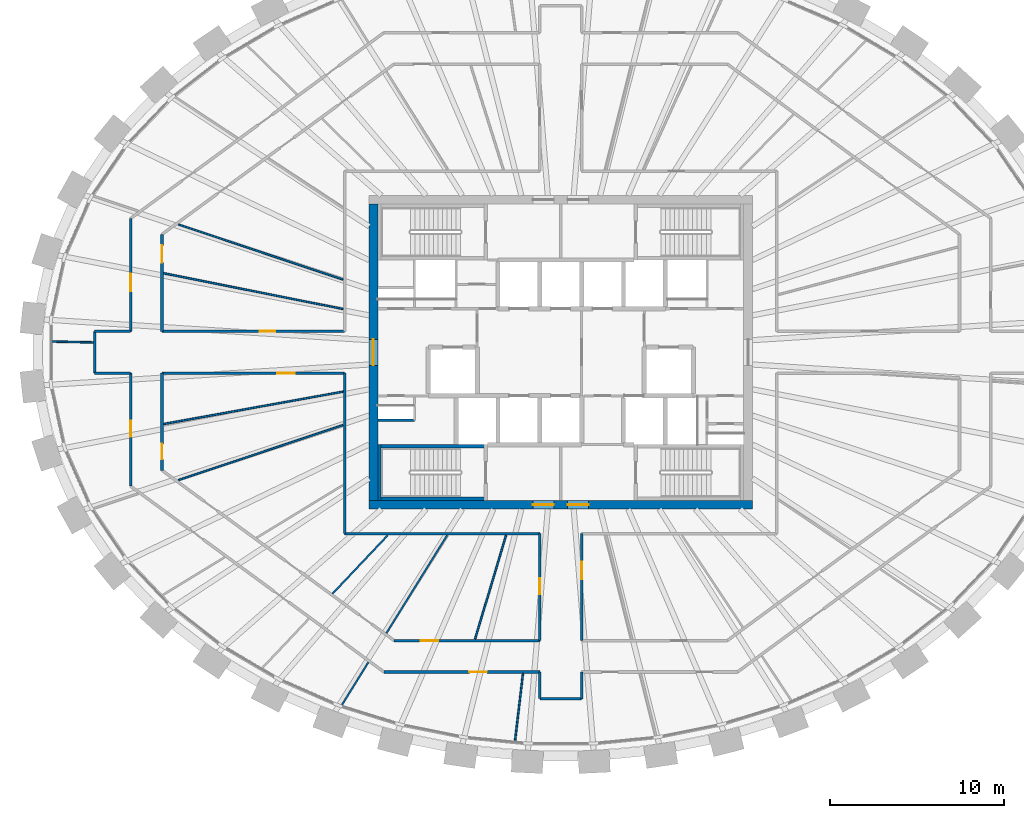
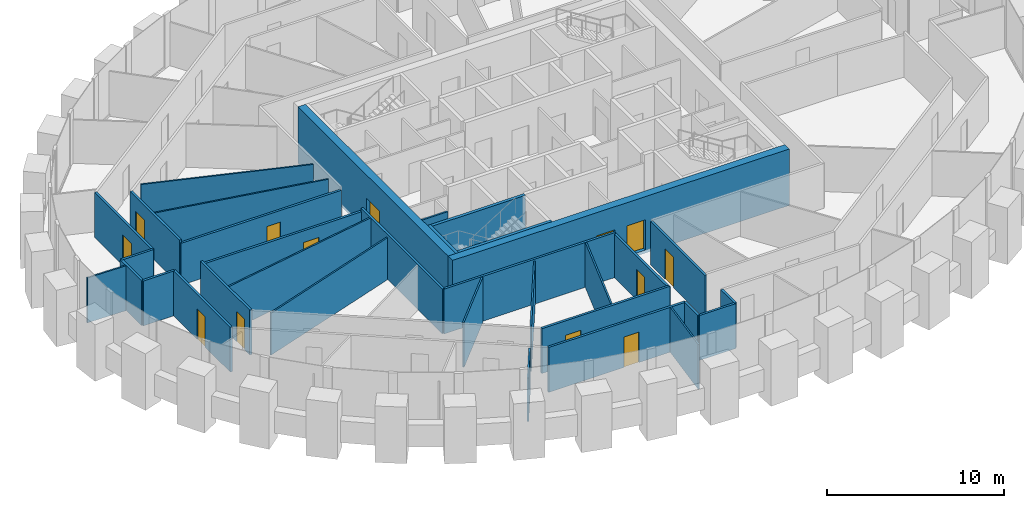
# One storey, part 6 of 12: 34 walls, 13 doors, 13 openings.
"""IFC4 building model written with IfcOpenShell, lengths in metres."""

import ifcopenshell
import ifcopenshell.guid

model = None  # the IFC model being written
_history = None  # IfcOwnerHistory: only IFC2X3 demands one
_inside = {}  # id of a spatial element -> (the spatial element, [elements in it])
_under = {}  # id of a project, library or spatial element -> (it, [spatial elements below it])
_declared = {}  # id of a project -> (the project, [libraries it declares])
_typed = {}  # id of a type object -> (the type object, [elements of that type])
_made_of = {}  # id of a material, layer set ... -> (it, [elements and type objects made of it])


def new_model(schema):
    """Start an empty IFC model of exactly this schema.

    Asked for "IFC4X3", IfcOpenShell would pick the latest addendum, in which some entities
    have other attributes; the version numbers below select the first issue.
    IFC2X3 requires an IfcOwnerHistory on every rooted entity: one is made here for all.
    """
    global model, _history
    if schema == "IFC4X3":
        model = ifcopenshell.file(schema_version=(4, 3, 0, 0))
    else:
        model = ifcopenshell.file(schema=schema)
    _inside.clear()
    _under.clear()
    _declared.clear()
    _typed.clear()
    _made_of.clear()
    _history = None
    if model.schema == "IFC2X3":
        org = make("IfcOrganization", Name="unknown")
        user = make(
            "IfcPersonAndOrganization",
            ThePerson=make("IfcPerson", FamilyName="unknown"),
            TheOrganization=org,
        )
        app = make(
            "IfcApplication",
            ApplicationDeveloper=org,
            Version="unknown",
            ApplicationFullName="unknown",
            ApplicationIdentifier="unknown",
        )
        _history = make(
            "IfcOwnerHistory",
            OwningUser=user,
            OwningApplication=app,
            ChangeAction="ADDED",
            CreationDate=0,
        )
    return model


def make(cls, **values):
    """One entity of the class cls with the attributes given. An attribute that is None is left unset."""
    return model.create_entity(
        cls, **{name: value for name, value in values.items() if value is not None}
    )


def rooted(cls, **values):
    """An entity with a GlobalId (a new one), such as an element, a storey or a relation."""
    return make(cls, GlobalId=ifcopenshell.guid.new(), OwnerHistory=_history, **values)


def si_unit(unit_type, name, prefix=None):
    """IfcSIUnit, for example si_unit("LENGTHUNIT", "METRE", prefix="MILLI")."""
    return make("IfcSIUnit", UnitType=unit_type, Prefix=prefix, Name=name)


def assignment(units):
    """IfcUnitAssignment: the units of a project."""
    return None if units is None else make("IfcUnitAssignment", Units=units)


def point(xyz):
    """IfcCartesianPoint."""
    return None if xyz is None else make("IfcCartesianPoint", Coordinates=xyz)


def direction(xyz):
    """IfcDirection."""
    return None if xyz is None else make("IfcDirection", DirectionRatios=xyz)


def frame(location, z_axis=None, x_axis=None):
    """IfcAxis2Placement3D, a coordinate frame: its origin and axes. An axis left out is left unset."""
    return make(
        "IfcAxis2Placement3D",
        Location=point(location),
        Axis=direction(z_axis),
        RefDirection=direction(x_axis),
    )


def frame_2d(location, x_axis=None):
    """IfcAxis2Placement2D, a coordinate frame in the plane: its origin and x axis."""
    return make(
        "IfcAxis2Placement2D", Location=point(location), RefDirection=direction(x_axis)
    )


def origin():
    """The frame at (0, 0, 0) with its axes left unset."""
    return frame((0.0, 0.0, 0.0))


def place(relative_to, where):
    """IfcLocalPlacement: puts the frame where relative to a parent placement (None: the world)."""
    return make(
        "IfcLocalPlacement", PlacementRelTo=relative_to, RelativePlacement=where
    )


def context(
    kind, dimensions, precision=None, world=None, true_north=None, identifier=None
):
    """IfcGeometricRepresentationContext, for example the 3D "Model" context."""
    return make(
        "IfcGeometricRepresentationContext",
        ContextIdentifier=identifier,
        ContextType=kind,
        CoordinateSpaceDimension=dimensions,
        Precision=precision,
        WorldCoordinateSystem=world,
        TrueNorth=true_north,
    )


def subcontext(parent, identifier, kind, view, scale=None):
    """IfcGeometricRepresentationSubContext, for example "Body" below "Model"."""
    return make(
        "IfcGeometricRepresentationSubContext",
        ContextIdentifier=identifier,
        ContextType=kind,
        ParentContext=parent,
        TargetScale=scale,
        TargetView=view,
    )


def project(units=None, contexts=None):
    """IfcProject with its units and contexts."""
    return rooted(
        "IfcProject",
        Name="project",
        RepresentationContexts=contexts,
        UnitsInContext=assignment(units),
    )


def spatial(cls, under=None, at=None, **own):
    """A site, building, storey or space (cls), placed at a placement, below another one or the project."""
    s = rooted(cls, ObjectPlacement=at, **own)
    if under is not None:
        _under.setdefault(under.id(), (under, []))[1].append(s)
    return s


def profile(cls, at=None, kind="AREA", **sizes):
    """A parametric profile (cls). Its sizes go by their IFC names, for example OverallWidth=200.0."""
    return make(cls, ProfileType=kind, Position=at, **sizes)


def rectangle(**sizes):
    """IfcRectangleProfileDef."""
    return profile("IfcRectangleProfileDef", **sizes)


def extrude(swept, where, along, depth):
    """IfcExtrudedAreaSolid: the profile swept, set in the frame where, extruded along a direction by depth."""
    return make(
        "IfcExtrudedAreaSolid",
        SweptArea=swept,
        Position=where,
        ExtrudedDirection=direction(along),
        Depth=depth,
    )


def shape(context_of_items, identifier, shape_type, items):
    """IfcShapeRepresentation: the items that make up one representation, for example the "Body"."""
    return make(
        "IfcShapeRepresentation",
        ContextOfItems=context_of_items,
        RepresentationIdentifier=identifier,
        RepresentationType=shape_type,
        Items=items,
    )


def source(mapping_origin, context_of_items, identifier, shape_type, items):
    """IfcRepresentationMap: a shape defined once, which mapped items show again and again."""
    return make(
        "IfcRepresentationMap",
        MappingOrigin=mapping_origin,
        MappedRepresentation=shape(context_of_items, identifier, shape_type, items),
    )


def transform(
    local_origin,
    x_axis=None,
    y_axis=None,
    z_axis=None,
    scale=None,
    scale2=None,
    scale3=None,
    uniform=True,
):
    """IfcCartesianTransformationOperator3D, or its non-uniform kind. x_axis, y_axis, z_axis: its Axis1, 2, 3."""
    if uniform:
        return make(
            "IfcCartesianTransformationOperator3D",
            Axis1=direction(x_axis),
            Axis2=direction(y_axis),
            LocalOrigin=point(local_origin),
            Scale=scale,
            Axis3=direction(z_axis),
        )
    return make(
        "IfcCartesianTransformationOperator3DnonUniform",
        Axis1=direction(x_axis),
        Axis2=direction(y_axis),
        LocalOrigin=point(local_origin),
        Scale=scale,
        Axis3=direction(z_axis),
        Scale2=scale2,
        Scale3=scale3,
    )


def mapped(mapping_source, mapping_target):
    """IfcMappedItem: shows the shape of a source again, moved by a transform."""
    return make(
        "IfcMappedItem", MappingSource=mapping_source, MappingTarget=mapping_target
    )


def material(Name=None, Category=None):
    """IfcMaterial."""
    return make("IfcMaterial", Name=Name, Category=Category)


def layer(
    of_material, thickness, ventilated=None, Name=None, Category=None, Priority=None
):
    """IfcMaterialLayer: one layer of a wall or slab, of a material (None: an air gap)."""
    return make(
        "IfcMaterialLayer",
        Material=of_material,
        LayerThickness=thickness,
        IsVentilated=ventilated,
        Name=Name,
        Category=Category,
        Priority=Priority,
    )


def layer_set(layers, Name=None):
    """IfcMaterialLayerSet."""
    return make("IfcMaterialLayerSet", MaterialLayers=layers, LayerSetName=Name)


def made_of(thing, what):
    """Note that an element or type object is made of a material, layer set ...; save() writes the relation."""
    if what is not None:
        _made_of.setdefault(what.id(), (what, []))[1].append(thing)
    return thing


def type_object(cls, material=None, **own):
    """A type object (cls), such as IfcWallType, which elements share."""
    return made_of(rooted(cls, **own), material)


def element(
    cls,
    number,
    at=None,
    inside=None,
    cuts=None,
    type_object=None,
    material=None,
    context=None,
    identifier="Body",
    shape_type=None,
    held_by="IfcProductDefinitionShape",
    body=None,
    shapes=None,
    **own,
):
    """One element of the class cls, such as IfcWall. Its Tag is "e" and its number.

    at: its placement. inside: the storey or other place that contains it. cuts: it is an
    opening in that element (IfcRelVoidsElement). A single representation is given by context,
    identifier, shape_type and body (its items); several are given by shapes. held_by: the class
    of the entity that holds the representations. save() writes the other relations.
    """
    e = rooted(cls, Tag="e%d" % number, ObjectPlacement=at, **own)
    if body is not None:
        shapes = [shape(context, identifier, shape_type, body)]
    if shapes is not None:
        e.Representation = make(held_by, Representations=shapes)
    if inside is not None:
        _inside.setdefault(inside.id(), (inside, []))[1].append(e)
    if cuts is not None:
        rooted(
            "IfcRelVoidsElement", RelatingBuildingElement=cuts, RelatedOpeningElement=e
        )
    if type_object is not None:
        _typed.setdefault(type_object.id(), (type_object, []))[1].append(e)
    return made_of(e, material)


def fill(opening, filler):
    """IfcRelFillsElement: the door or window that sits in an opening."""
    return rooted(
        "IfcRelFillsElement",
        RelatingOpeningElement=opening,
        RelatedBuildingElement=filler,
    )


def aggregate(whole, parts):
    """IfcRelAggregates: a whole, such as a stair, and the parts it consists of."""
    return rooted("IfcRelAggregates", RelatingObject=whole, RelatedObjects=parts)


def save(model, path):
    """Write the relations noted so far, then the file.

    IfcRelAggregates (storeys below a building ...), IfcRelContainedInSpatialStructure (elements
    in a storey), IfcRelDefinesByType, IfcRelAssociatesMaterial and IfcRelDeclares: one each for
    every whole, place, type object, material and project.
    """
    for whole, parts in _under.values():
        aggregate(whole, parts)
    for where, things in _inside.values():
        rooted(
            "IfcRelContainedInSpatialStructure",
            RelatedElements=things,
            RelatingStructure=where,
        )
    for kind, things in _typed.values():
        rooted("IfcRelDefinesByType", RelatedObjects=things, RelatingType=kind)
    for what, things in _made_of.values():
        rooted("IfcRelAssociatesMaterial", RelatedObjects=things, RelatingMaterial=what)
    for by, libraries in _declared.values():
        rooted("IfcRelDeclares", RelatingContext=by, RelatedDefinitions=libraries)
    model.write(path)


model = new_model("IFC4")

# Units and contexts
model_context = context("Model", 3, precision=1e-05, world=origin(), true_north=direction((0.0, 1.0)))
body_context = subcontext(model_context, "Body", "Model", "MODEL_VIEW")
ifc_project = project(units=[si_unit("LENGTHUNIT", "METRE"), si_unit("AREAUNIT", "SQUARE_METRE"), si_unit("VOLUMEUNIT", "CUBIC_METRE"), si_unit("PLANEANGLEUNIT", "RADIAN"), si_unit("MASSUNIT", "GRAM", prefix="KILO")], contexts=[model_context])

# Site, building, storey
site_placement = place(None, origin())
site = spatial("IfcSite", under=ifc_project, at=site_placement, CompositionType="ELEMENT")
building_placement = place(site_placement, origin())
building = spatial("IfcBuilding", under=site, at=building_placement, Name="Embergate Tower", CompositionType="ELEMENT")
storey_placement = place(building_placement, frame((0.0, 0.0, 309.10009765625)))
storey = spatial("IfcBuildingStorey", under=building, at=storey_placement, Name="L72", CompositionType="ELEMENT", Elevation=309.10009765625)

# Wall, openings, doors
ifc_material_1 = material(Name="Concrete C50", Category="concrete")
ifc_layer_1 = layer(ifc_material_1, 0.5)
ifc_layer_set_1 = layer_set([ifc_layer_1], Name="Concrete C50")
wall_type_1 = type_object("IfcWallType", Name="Core outer wall C50 500", PredefinedType="SHEAR", material=ifc_layer_set_1)
shared_shape_1 = source(origin(), body_context, "Body", "SweptSolid", [
    extrude(rectangle(XDim=22.0, YDim=0.5, at=frame_2d((11.0, 0.0))), origin(), (0.0, 0.0, 1.0), 3.900146484375),
])
wall_1_placement = place(storey_placement, frame((-11.0, -8.75, -0.2001953125), z_axis=(0.0, 0.0, 1.0), x_axis=(1.0, 0.0, 0.0)))
wall_1 = element("IfcWall", 1, at=wall_1_placement, inside=storey, type_object=wall_type_1, Name="CW-L72-S", PredefinedType="SHEAR", context=body_context, shape_type="MappedRepresentation", body=[
    mapped(shared_shape_1, transform((0.0, 0.0, 0.0))),
])
shared_shape_2 = source(origin(), body_context, "Body", "SweptSolid", [
    extrude(rectangle(XDim=1.199951171875, YDim=2.10009765625, at=frame_2d((0.60009765625, 1.050048828125))), frame((0.0, 0.260009765625, 0.0), z_axis=(0.0, -1.0, 0.0), x_axis=(1.0, 0.0, 0.0)), (0.0, 0.0, 1.0), 0.52001953125),
])
opening_1_placement = place(wall_1_placement, frame((9.39990234375, 0.0, 0.199951171875)))
opening_1 = element("IfcOpeningElement", 2, at=opening_1_placement, cuts=wall_1, Name="Opening IF-1", PredefinedType="OPENING", context=body_context, shape_type="MappedRepresentation", body=[
    mapped(shared_shape_2, transform((0.0, 0.0, 0.0))),
])
opening_2_placement = place(wall_1_placement, frame((11.39990234375, 0.0, 0.199951171875)))
opening_2 = element("IfcOpeningElement", 3, at=opening_2_placement, cuts=wall_1, Name="Opening IF-1", PredefinedType="OPENING", context=body_context, shape_type="MappedRepresentation", body=[
    mapped(shared_shape_2, transform((0.0, 0.0, 0.0))),
])
ifc_material_2 = material(Name="Escape fire door 1200")
door_type_1 = type_object("IfcDoorType", Name="Escape fire door 1200", OperationType="SINGLE_SWING_LEFT", PredefinedType="DOOR", material=ifc_material_2)
shared_shape_3 = source(origin(), body_context, "Body", "SweptSolid", [
    extrude(rectangle(XDim=1.199951171875, YDim=2.10009765625, at=frame_2d((0.60009765625, 1.050048828125))), frame((0.0, 0.02490234375, 0.0), z_axis=(0.0, -1.0, 0.0), x_axis=(1.0, 0.0, 0.0)), (0.0, 0.0, 1.0), 0.050048828125),
])
door_1_placement = place(opening_1_placement, origin())
door_1 = element("IfcDoor", 4, at=door_1_placement, inside=storey, type_object=door_type_1, Name="IF-1 door", OperationType="SINGLE_SWING_LEFT", OverallHeight=2.10009765625, OverallWidth=1.199951171875, PredefinedType="DOOR", context=body_context, shape_type="MappedRepresentation", body=[
    mapped(shared_shape_3, transform((0.0, 0.0, 0.0))),
])
fill(opening_1, door_1)
door_2_placement = place(opening_2_placement, origin())
door_2 = element("IfcDoor", 5, at=door_2_placement, inside=storey, type_object=door_type_1, Name="IF-1 door", OperationType="SINGLE_SWING_RIGHT", OverallHeight=2.10009765625, OverallWidth=1.199951171875, PredefinedType="DOOR", context=body_context, shape_type="MappedRepresentation", body=[
    mapped(shared_shape_3, transform((0.0, 0.0, 0.0))),
])
fill(opening_2, door_2)

# Wall, opening, door
shared_shape_4 = source(origin(), body_context, "Body", "SweptSolid", [
    extrude(rectangle(XDim=17.0, YDim=0.5, at=frame_2d((8.5, 0.0))), origin(), (0.0, 0.0, 1.0), 3.900146484375),
])
wall_2_placement = place(storey_placement, frame((-10.75, -8.5, -0.2001953125), z_axis=(0.0, 0.0, 1.0), x_axis=(0.0, 1.0, 0.0)))
wall_2 = element("IfcWall", 6, at=wall_2_placement, inside=storey, type_object=wall_type_1, Name="CW-L72-W", PredefinedType="SHEAR", context=body_context, shape_type="MappedRepresentation", body=[
    mapped(shared_shape_4, transform((0.0, 0.0, 0.0))),
])
shared_shape_5 = source(origin(), body_context, "Body", "SweptSolid", [
    extrude(rectangle(XDim=1.5, YDim=2.10009765625, at=frame_2d((0.75, 1.050048828125))), frame((0.0, 0.260009765625, 0.0), z_axis=(0.0, -1.0, 0.0), x_axis=(1.0, 0.0, 0.0)), (0.0, 0.0, 1.0), 0.52001953125),
])
opening_3_placement = place(wall_2_placement, frame((7.75, 0.0, 0.199951171875)))
opening_3 = element("IfcOpeningElement", 7, at=opening_3_placement, cuts=wall_2, Name="Opening IF-3", PredefinedType="OPENING", context=body_context, shape_type="MappedRepresentation", body=[
    mapped(shared_shape_5, transform((0.0, 0.0, 0.0))),
])
ifc_material_3 = material(Name="Lobby fire door pair 1500")
door_type_2 = type_object("IfcDoorType", Name="Lobby fire door pair 1500", OperationType="DOUBLE_DOOR_SINGLE_SWING", PredefinedType="DOOR", material=ifc_material_3)
shared_shape_6 = source(origin(), body_context, "Body", "SweptSolid", [
    extrude(rectangle(XDim=1.5, YDim=2.10009765625, at=frame_2d((0.75, 1.050048828125))), frame((0.0, 0.02490234375, 0.0), z_axis=(0.0, -1.0, 0.0), x_axis=(1.0, 0.0, 0.0)), (0.0, 0.0, 1.0), 0.050048828125),
])
door_3_placement = place(opening_3_placement, origin())
door_3 = element("IfcDoor", 8, at=door_3_placement, inside=storey, type_object=door_type_2, Name="IF-3 door", OperationType="DOUBLE_DOOR_SINGLE_SWING", OverallHeight=2.10009765625, OverallWidth=1.5, PredefinedType="DOOR", context=body_context, shape_type="MappedRepresentation", body=[
    mapped(shared_shape_6, transform((0.0, 0.0, 0.0))),
])
fill(opening_3, door_3)

# Walls
ifc_layer_2 = layer(ifc_material_1, 0.199951171875)
ifc_layer_set_2 = layer_set([ifc_layer_2], Name="Concrete C50")
wall_type_2 = type_object("IfcWallType", Name="Stair enclosure wall reinforced concrete 250", PredefinedType="SHEAR", material=ifc_layer_set_2)
shared_shape_7 = source(origin(), body_context, "Body", "SweptSolid", [
    extrude(rectangle(XDim=6.300048828125, YDim=0.199951171875, at=frame_2d((3.14990234375, 0.0))), origin(), (0.0, 0.0, 1.0), 3.699951171875),
])
wall_3_placement = place(storey_placement, frame((-10.5, -5.39990234375, 0.0), z_axis=(0.0, 0.0, 1.0), x_axis=(1.0, 0.0, 0.0)))
element("IfcWall", 9, at=wall_3_placement, inside=storey, type_object=wall_type_2, Name="SE-1 wall", PredefinedType="SHEAR", context=body_context, shape_type="MappedRepresentation", body=[
    mapped(shared_shape_7, transform((0.0, 0.0, 0.0))),
])
shared_shape_8 = source(origin(), body_context, "Body", "SweptSolid", [
    extrude(rectangle(XDim=3.199951171875, YDim=0.199951171875, at=frame_2d((1.60009765625, 0.0))), origin(), (0.0, 0.0, 1.0), 3.699951171875),
])
wall_4_placement = place(storey_placement, frame((-10.39990234375, -5.300048828125, 0.0), z_axis=(0.0, 0.0, 1.0), x_axis=(0.0, -1.0, 0.0)))
element("IfcWall", 10, at=wall_4_placement, inside=storey, type_object=wall_type_2, Name="SE-1 wall", PredefinedType="SHEAR", context=body_context, shape_type="MappedRepresentation", body=[
    mapped(shared_shape_8, transform((0.0, 0.0, 0.0))),
])
ifc_material_4 = material(Name="Corridor wall dry-lined 150")
ifc_layer_3 = layer(ifc_material_4, 0.14990234375)
ifc_layer_set_3 = layer_set([ifc_layer_3], Name="Corridor wall dry-lined 150")
wall_type_3 = type_object("IfcWallType", Name="Corridor wall dry-lined 150", PredefinedType="PARTITIONING", material=ifc_layer_set_3)
shared_shape_9 = source(origin(), body_context, "Body", "SweptSolid", [
    extrude(rectangle(XDim=2.39990234375, YDim=0.14990234375, at=frame_2d((1.199951171875, 0.0))), origin(), (0.0, 0.0, 1.0), 3.099853515625),
])
for number, where, z_axis, x_axis, name in (
    (11, (1.199951171875, -19.8779296875, 0.0), (0.0, 0.0, 1.0), (-1.0, 0.0, 0.0), "IP-2 wall"),
    (12, (-26.740966796875, 1.199951171875, 0.0), (0.0, 0.0, 1.0), (0.0, -1.0, 0.0), "IP-2 wall"),
):
    element("IfcWall", number, at=place(storey_placement, frame(where, z_axis=z_axis, x_axis=x_axis)), inside=storey, type_object=wall_type_3, Name=name, PredefinedType="PARTITIONING", context=body_context, shape_type="MappedRepresentation", body=[
        mapped(shared_shape_9, transform((0.0, 0.0, 0.0))),
    ])
shared_shape_10 = source(origin(), body_context, "Body", "SweptSolid", [
    extrude(rectangle(XDim=9.199951171875, YDim=0.14990234375, at=frame_2d((4.60009765625, 0.0))), origin(), (0.0, 0.0, 1.0), 3.099853515625),
])
wall_5_placement = place(storey_placement, frame((-12.39990234375, -1.199951171875, 0.0), z_axis=(0.0, 0.0, 1.0), x_axis=(0.0, -1.0, 0.0)))
element("IfcWall", 13, at=wall_5_placement, inside=storey, type_object=wall_type_3, Name="IP-2 wall", PredefinedType="PARTITIONING", context=body_context, shape_type="MappedRepresentation", body=[
    mapped(shared_shape_10, transform((0.0, 0.0, 0.0))),
])
shared_shape_11 = source(origin(), body_context, "Body", "SweptSolid", [
    extrude(rectangle(XDim=11.199951171875, YDim=0.14990234375, at=frame_2d((5.60009765625, 0.0))), origin(), (0.0, 0.0, 1.0), 3.099853515625),
])
wall_6_placement = place(storey_placement, frame((-12.39990234375, -10.39990234375, 0.0), z_axis=(0.0, 0.0, 1.0), x_axis=(1.0, 0.0, 0.0)))
element("IfcWall", 14, at=wall_6_placement, inside=storey, type_object=wall_type_3, Name="IP-2 wall", PredefinedType="PARTITIONING", context=body_context, shape_type="MappedRepresentation", body=[
    mapped(shared_shape_11, transform((0.0, 0.0, 0.0))),
])
shared_shape_12 = source(origin(), body_context, "Body", "SweptSolid", [
    extrude(rectangle(XDim=6.298095703125, YDim=0.199951171875, at=frame_2d((3.14892578125, 0.0))), origin(), (0.0, 0.0, 1.0), 3.699951171875),
])
wall_7_placement = place(storey_placement, frame((-10.5, -8.39990234375, 0.0), z_axis=(0.0, 0.0, 1.0), x_axis=(1.0, 0.0, 0.0)))
element("IfcWall", 15, at=wall_7_placement, inside=storey, type_object=wall_type_2, Name="SE-1 wall", PredefinedType="SHEAR", context=body_context, shape_type="MappedRepresentation", body=[
    mapped(shared_shape_12, transform((0.0, 0.0, 0.0))),
])
ifc_material_5 = material(Name="Core partition blockwork 120")
ifc_layer_4 = layer(ifc_material_5, 0.1201171875)
ifc_layer_set_4 = layer_set([ifc_layer_4], Name="Core partition blockwork 120")
wall_type_4 = type_object("IfcWallType", Name="Core partition blockwork 120", PredefinedType="PARTITIONING", material=ifc_layer_set_4)
shared_shape_13 = source(origin(), body_context, "Body", "SweptSolid", [
    extrude(rectangle(XDim=2.10009765625, YDim=0.1201171875, at=frame_2d((1.050048828125, 0.0))), origin(), (0.0, 0.0, 1.0), 3.099853515625),
])
wall_8_placement = place(storey_placement, frame((-10.5, -3.89990234375, 0.0), z_axis=(0.0, 0.0, 1.0), x_axis=(1.0, 0.0, 0.0)))
element("IfcWall", 16, at=wall_8_placement, inside=storey, type_object=wall_type_4, Name="IP-3 wall", PredefinedType="PARTITIONING", context=body_context, shape_type="MappedRepresentation", body=[
    mapped(shared_shape_13, transform((0.0, 0.0, 0.0))),
])

# Wall, opening, door
shared_shape_14 = source(origin(), body_context, "Body", "SweptSolid", [
    extrude(rectangle(XDim=6.14111328125, YDim=0.14990234375, at=frame_2d((3.070556640625, 0.0))), origin(), (0.0, 0.0, 1.0), 3.0),
])
wall_9_placement = place(storey_placement, frame((-1.199951171875, -16.541015625, 0.0), z_axis=(0.0, 0.0, 1.0), x_axis=(0.0, 1.0, 0.0)))
wall_9 = element("IfcWall", 17, at=wall_9_placement, inside=storey, type_object=wall_type_3, Name="IP-2 wall", PredefinedType="PARTITIONING", context=body_context, shape_type="MappedRepresentation", body=[
    mapped(shared_shape_14, transform((0.0, 0.0, 0.0))),
])
shared_shape_15 = source(origin(), body_context, "Body", "SweptSolid", [
    extrude(rectangle(XDim=0.89990234375, YDim=2.10009765625, at=frame_2d((0.449951171875, 1.050048828125))), frame((0.0, 0.0849609375, 0.0), z_axis=(0.0, -1.0, 0.0), x_axis=(1.0, 0.0, 0.0)), (0.0, 0.0, 1.0), 0.169921875),
])
opening_4_placement = place(wall_9_placement, frame((2.6669921875, 0.0, 0.0)))
opening_4 = element("IfcOpeningElement", 18, at=opening_4_placement, cuts=wall_9, Name="Opening IF-1c", PredefinedType="OPENING", context=body_context, shape_type="MappedRepresentation", body=[
    mapped(shared_shape_15, transform((0.0, 0.0, 0.0))),
])
ifc_material_6 = material(Name="Escape fire door 900")
door_type_3 = type_object("IfcDoorType", Name="Escape fire door 900", OperationType="SINGLE_SWING_LEFT", PredefinedType="DOOR", material=ifc_material_6)
shared_shape_16 = source(origin(), body_context, "Body", "SweptSolid", [
    extrude(rectangle(XDim=0.89990234375, YDim=2.10009765625, at=frame_2d((0.449951171875, 1.050048828125))), frame((0.0, 0.02490234375, 0.0), z_axis=(0.0, -1.0, 0.0), x_axis=(1.0, 0.0, 0.0)), (0.0, 0.0, 1.0), 0.050048828125),
])
door_4_placement = place(opening_4_placement, origin())
door_4 = element("IfcDoor", 19, at=door_4_placement, inside=storey, type_object=door_type_3, Name="IF-1 door", OperationType="SINGLE_SWING_LEFT", OverallHeight=2.10009765625, OverallWidth=0.89990234375, PredefinedType="DOOR", context=body_context, shape_type="MappedRepresentation", body=[
    mapped(shared_shape_16, transform((0.0, 0.0, 0.0))),
])
fill(opening_4, door_4)

wall_10_placement = place(storey_placement, frame((1.199951171875, -10.39990234375, 0.0), z_axis=(0.0, 0.0, 1.0), x_axis=(0.0, -1.0, 0.0)))
wall_10 = element("IfcWall", 20, at=wall_10_placement, inside=storey, type_object=wall_type_3, Name="IP-2 wall", PredefinedType="PARTITIONING", context=body_context, shape_type="MappedRepresentation", body=[
    mapped(shared_shape_14, transform((0.0, 0.0, 0.0))),
])
shared_shape_17 = source(origin(), body_context, "Body", "SweptSolid", [
    extrude(rectangle(XDim=1.0, YDim=2.10009765625, at=frame_2d((0.5, 1.050048828125))), frame((0.0, 0.0849609375, 0.0), z_axis=(0.0, -1.0, 0.0), x_axis=(1.0, 0.0, 0.0)), (0.0, 0.0, 1.0), 0.169921875),
])
opening_5_placement = place(wall_10_placement, frame((1.616943359375, 0.0, 0.0)))
opening_5 = element("IfcOpeningElement", 21, at=opening_5_placement, cuts=wall_10, Name="Opening ID-2", PredefinedType="OPENING", context=body_context, shape_type="MappedRepresentation", body=[
    mapped(shared_shape_17, transform((0.0, 0.0, 0.0))),
])
ifc_material_7 = material(Name="Interior door 1000")
door_type_4 = type_object("IfcDoorType", Name="Interior door 1000", OperationType="SINGLE_SWING_LEFT", PredefinedType="DOOR", material=ifc_material_7)
shared_shape_18 = source(origin(), body_context, "Body", "SweptSolid", [
    extrude(rectangle(XDim=1.0, YDim=2.10009765625, at=frame_2d((0.5, 1.050048828125))), frame((0.0, 0.02490234375, 0.0), z_axis=(0.0, -1.0, 0.0), x_axis=(1.0, 0.0, 0.0)), (0.0, 0.0, 1.0), 0.050048828125),
])
door_5_placement = place(opening_5_placement, origin())
door_5 = element("IfcDoor", 22, at=door_5_placement, inside=storey, type_object=door_type_4, Name="ID-2 door", OperationType="SINGLE_SWING_LEFT", OverallHeight=2.10009765625, OverallWidth=1.0, PredefinedType="DOOR", context=body_context, shape_type="MappedRepresentation", body=[
    mapped(shared_shape_18, transform((0.0, 0.0, 0.0))),
])
fill(opening_5, door_5)

# Walls
ifc_material_8 = material(Name="Partition dry-lined 100")
ifc_layer_5 = layer(ifc_material_8, 0.10009765625)
ifc_layer_set_5 = layer_set([ifc_layer_5], Name="Partition dry-lined 100")
wall_type_5 = type_object("IfcWallType", Name="Partition dry-lined 100", PredefinedType="PARTITIONING", material=ifc_layer_set_5)
shared_shape_19 = source(origin(), body_context, "Body", "SweptSolid", [
    extrude(rectangle(XDim=2.9609375, YDim=0.10009765625, at=frame_2d((1.48046875, 0.0))), origin(), (0.0, 0.0, 1.0), 3.0),
])
wall_11_placement = place(storey_placement, frame((-11.035888671875, -17.780029296875, 0.0), z_axis=(0.0, 0.0, 1.0), x_axis=(-0.527231490146, -0.849721693143, 0.0)))
element("IfcWall", 23, at=wall_11_placement, inside=storey, type_object=wall_type_5, Name="IP-1 wall", PredefinedType="PARTITIONING", context=body_context, shape_type="MappedRepresentation", body=[
    mapped(shared_shape_19, transform((0.0, 0.0, 0.0))),
])
shared_shape_20 = source(origin(), body_context, "Body", "SweptSolid", [
    extrude(rectangle(XDim=6.612060546875, YDim=0.10009765625, at=frame_2d((3.30615234375, 0.0))), origin(), (0.0, 0.0, 1.0), 3.0),
])
wall_12_placement = place(storey_placement, frame((-6.51806640625, -10.5009765625, 0.0), z_axis=(0.0, 0.0, 1.0), x_axis=(-0.527344479033, -0.849651575902, 0.0)))
element("IfcWall", 24, at=wall_12_placement, inside=storey, type_object=wall_type_5, Name="IP-1 wall", PredefinedType="PARTITIONING", context=body_context, shape_type="MappedRepresentation", body=[
    mapped(shared_shape_20, transform((0.0, 0.0, 0.0))),
])

# Wall, opening, door
shared_shape_21 = source(origin(), body_context, "Body", "SweptSolid", [
    extrude(rectangle(XDim=8.945068359375, YDim=0.14990234375, at=frame_2d((4.47265625, 0.0))), origin(), (0.0, 0.0, 1.0), 3.099853515625),
])
wall_13_placement = place(storey_placement, frame((-1.199951171875, -18.341064453125, 0.0), z_axis=(0.0, 0.0, 1.0), x_axis=(-1.0, 0.0, 0.0)))
wall_13 = element("IfcWall", 25, at=wall_13_placement, inside=storey, type_object=wall_type_3, Name="IP-2 wall", PredefinedType="PARTITIONING", context=body_context, shape_type="MappedRepresentation", body=[
    mapped(shared_shape_21, transform((0.0, 0.0, 0.0))),
])
opening_6_placement = place(wall_13_placement, frame((3.0458984375, 0.0, 0.0)))
opening_6 = element("IfcOpeningElement", 26, at=opening_6_placement, cuts=wall_13, Name="Opening ID-2", PredefinedType="OPENING", context=body_context, shape_type="MappedRepresentation", body=[
    mapped(shared_shape_17, transform((0.0, 0.0, 0.0))),
])
door_6_placement = place(opening_6_placement, origin())
door_6 = element("IfcDoor", 27, at=door_6_placement, inside=storey, type_object=door_type_4, Name="ID-2 door", OperationType="SINGLE_SWING_RIGHT", OverallHeight=2.10009765625, OverallWidth=1.0, PredefinedType="DOOR", context=body_context, shape_type="MappedRepresentation", body=[
    mapped(shared_shape_18, transform((0.0, 0.0, 0.0))),
])
fill(opening_6, door_6)

# Walls
shared_shape_22 = source(origin(), body_context, "Body", "SweptSolid", [
    extrude(rectangle(XDim=1.536865234375, YDim=0.14990234375, at=frame_2d((0.7685546875, 0.0))), origin(), (0.0, 0.0, 1.0), 3.099853515625),
])
for number, where, z_axis, x_axis, name in (
    (28, (1.199951171875, -18.341064453125, 0.0), (0.0, 0.0, 1.0), (0.0, -1.0, 0.0), "IP-2 wall"),
    (29, (-1.199951171875, -19.8779296875, 0.0), (0.0, 0.0, 1.0), (0.0, 1.0, 0.0), "IP-2 wall"),
):
    element("IfcWall", number, at=place(storey_placement, frame(where, z_axis=z_axis, x_axis=x_axis)), inside=storey, type_object=wall_type_3, Name=name, PredefinedType="PARTITIONING", context=body_context, shape_type="MappedRepresentation", body=[
        mapped(shared_shape_22, transform((0.0, 0.0, 0.0))),
    ])

# Wall, opening, door
shared_shape_23 = source(origin(), body_context, "Body", "SweptSolid", [
    extrude(rectangle(XDim=8.35595703125, YDim=0.14990234375, at=frame_2d((4.177978515625, 0.0))), origin(), (0.0, 0.0, 1.0), 3.099853515625),
])
wall_14_placement = place(storey_placement, frame((-1.199951171875, -16.541015625, 0.0), z_axis=(0.0, 0.0, 1.0), x_axis=(-1.0, 0.0, 0.0)))
wall_14 = element("IfcWall", 30, at=wall_14_placement, inside=storey, type_object=wall_type_3, Name="IP-2 wall", PredefinedType="PARTITIONING", context=body_context, shape_type="MappedRepresentation", body=[
    mapped(shared_shape_23, transform((0.0, 0.0, 0.0))),
])
opening_7_placement = place(wall_14_placement, frame((5.819091796875, 0.0, 0.0)))
opening_7 = element("IfcOpeningElement", 31, at=opening_7_placement, cuts=wall_14, Name="Opening ID-2", PredefinedType="OPENING", context=body_context, shape_type="MappedRepresentation", body=[
    mapped(shared_shape_17, transform((0.0, 0.0, 0.0))),
])
door_7_placement = place(opening_7_placement, origin())
door_7 = element("IfcDoor", 32, at=door_7_placement, inside=storey, type_object=door_type_4, Name="ID-2 door", OperationType="SINGLE_SWING_RIGHT", OverallHeight=2.10009765625, OverallWidth=1.0, PredefinedType="DOOR", context=body_context, shape_type="MappedRepresentation", body=[
    mapped(shared_shape_18, transform((0.0, 0.0, 0.0))),
])
fill(opening_7, door_7)

shared_shape_24 = source(origin(), body_context, "Body", "SweptSolid", [
    extrude(rectangle(XDim=6.47998046875, YDim=0.14990234375, at=frame_2d((3.239990234375, 0.0))), origin(), (0.0, 0.0, 1.0), 3.099853515625),
])
wall_15_placement = place(storey_placement, frame((-24.681884765625, 7.679931640625, 0.0), z_axis=(0.0, 0.0, 1.0), x_axis=(0.0, -1.0, 0.0)))
wall_15 = element("IfcWall", 33, at=wall_15_placement, inside=storey, type_object=wall_type_3, Name="IP-2 wall", PredefinedType="PARTITIONING", context=body_context, shape_type="MappedRepresentation", body=[
    mapped(shared_shape_24, transform((0.0, 0.0, 0.0))),
])
opening_8_placement = place(wall_15_placement, frame((3.17919921875, 0.0, 0.0)))
opening_8 = element("IfcOpeningElement", 34, at=opening_8_placement, cuts=wall_15, Name="Opening ID-2", PredefinedType="OPENING", context=body_context, shape_type="MappedRepresentation", body=[
    mapped(shared_shape_17, transform((0.0, 0.0, 0.0))),
])
door_8_placement = place(opening_8_placement, origin())
door_8 = element("IfcDoor", 35, at=door_8_placement, inside=storey, type_object=door_type_4, Name="ID-2 door", OperationType="SINGLE_SWING_LEFT", OverallHeight=2.10009765625, OverallWidth=1.0, PredefinedType="DOOR", context=body_context, shape_type="MappedRepresentation", body=[
    mapped(shared_shape_18, transform((0.0, 0.0, 0.0))),
])
fill(opening_8, door_8)

wall_16_placement = place(storey_placement, frame((-24.681884765625, -7.679931640625, 0.0), z_axis=(0.0, 0.0, 1.0), x_axis=(0.0, 1.0, 0.0)))
wall_16 = element("IfcWall", 36, at=wall_16_placement, inside=storey, type_object=wall_type_3, Name="IP-2 wall", PredefinedType="PARTITIONING", context=body_context, shape_type="MappedRepresentation", body=[
    mapped(shared_shape_24, transform((0.0, 0.0, 0.0))),
])
opening_9_placement = place(wall_16_placement, frame((2.84033203125, 0.0, 0.0)))
opening_9 = element("IfcOpeningElement", 37, at=opening_9_placement, cuts=wall_16, Name="Opening IF-1c", PredefinedType="OPENING", context=body_context, shape_type="MappedRepresentation", body=[
    mapped(shared_shape_15, transform((0.0, 0.0, 0.0))),
])
door_9_placement = place(opening_9_placement, origin())
door_9 = element("IfcDoor", 38, at=door_9_placement, inside=storey, type_object=door_type_3, Name="IF-1 door", OperationType="SINGLE_SWING_RIGHT", OverallHeight=2.10009765625, OverallWidth=0.89990234375, PredefinedType="DOOR", context=body_context, shape_type="MappedRepresentation", body=[
    mapped(shared_shape_16, transform((0.0, 0.0, 0.0))),
])
fill(opening_9, door_9)

# Walls
shared_shape_25 = source(origin(), body_context, "Body", "SweptSolid", [
    extrude(rectangle(XDim=2.05908203125, YDim=0.14990234375, at=frame_2d((1.029541015625, 0.0))), origin(), (0.0, 0.0, 1.0), 3.099853515625),
])
for number, where, z_axis, x_axis, name in (
    (39, (-24.681884765625, 1.199951171875, 0.0), (0.0, 0.0, 1.0), (-1.0, 0.0, 0.0), "IP-2 wall"),
    (40, (-24.681884765625, -1.199951171875, 0.0), (0.0, 0.0, 1.0), (-1.0, 0.0, 0.0), "IP-2 wall"),
):
    element("IfcWall", number, at=place(storey_placement, frame(where, z_axis=z_axis, x_axis=x_axis)), inside=storey, type_object=wall_type_3, Name=name, PredefinedType="PARTITIONING", context=body_context, shape_type="MappedRepresentation", body=[
        mapped(shared_shape_25, transform((0.0, 0.0, 0.0))),
    ])

# Wall, opening, door
shared_shape_26 = source(origin(), body_context, "Body", "SweptSolid", [
    extrude(rectangle(XDim=10.482177734375, YDim=0.14990234375, at=frame_2d((5.2412109375, 0.0))), origin(), (0.0, 0.0, 1.0), 2.89990234375),
])
wall_17_placement = place(storey_placement, frame((-12.39990234375, -1.199951171875, 0.0), z_axis=(0.0, 0.0, 1.0), x_axis=(-1.0, 0.0, 0.0)))
wall_17 = element("IfcWall", 41, at=wall_17_placement, inside=storey, type_object=wall_type_3, Name="IP-2 wall", PredefinedType="PARTITIONING", context=body_context, shape_type="MappedRepresentation", body=[
    mapped(shared_shape_26, transform((0.0, 0.0, 0.0))),
])
opening_10_placement = place(wall_17_placement, frame((2.8759765625, 0.0, 0.0)))
opening_10 = element("IfcOpeningElement", 42, at=opening_10_placement, cuts=wall_17, Name="Opening ID-2", PredefinedType="OPENING", context=body_context, shape_type="MappedRepresentation", body=[
    mapped(shared_shape_17, transform((0.0, 0.0, 0.0))),
])
door_10_placement = place(opening_10_placement, origin())
door_10 = element("IfcDoor", 43, at=door_10_placement, inside=storey, type_object=door_type_4, Name="ID-2 door", OperationType="SINGLE_SWING_RIGHT", OverallHeight=2.10009765625, OverallWidth=1.0, PredefinedType="DOOR", context=body_context, shape_type="MappedRepresentation", body=[
    mapped(shared_shape_18, transform((0.0, 0.0, 0.0))),
])
fill(opening_10, door_10)

wall_18_placement = place(storey_placement, frame((-22.882080078125, 1.199951171875, 0.0), z_axis=(0.0, 0.0, 1.0), x_axis=(1.0, 0.0, 0.0)))
wall_18 = element("IfcWall", 44, at=wall_18_placement, inside=storey, type_object=wall_type_3, Name="IP-2 wall", PredefinedType="PARTITIONING", context=body_context, shape_type="MappedRepresentation", body=[
    mapped(shared_shape_26, transform((0.0, 0.0, 0.0))),
])
opening_11_placement = place(wall_18_placement, frame((5.599609375, 0.0, 0.0)))
opening_11 = element("IfcOpeningElement", 45, at=opening_11_placement, cuts=wall_18, Name="Opening IF-1c", PredefinedType="OPENING", context=body_context, shape_type="MappedRepresentation", body=[
    mapped(shared_shape_15, transform((0.0, 0.0, 0.0))),
])
door_11_placement = place(opening_11_placement, origin())
door_11 = element("IfcDoor", 46, at=door_11_placement, inside=storey, type_object=door_type_3, Name="IF-1 door", OperationType="SINGLE_SWING_LEFT", OverallHeight=2.10009765625, OverallWidth=0.89990234375, PredefinedType="DOOR", context=body_context, shape_type="MappedRepresentation", body=[
    mapped(shared_shape_16, transform((0.0, 0.0, 0.0))),
])
fill(opening_11, door_11)

shared_shape_27 = source(origin(), body_context, "Body", "SweptSolid", [
    extrude(rectangle(XDim=5.568115234375, YDim=0.14990234375, at=frame_2d((2.7841796875, 0.0))), origin(), (0.0, 0.0, 1.0), 3.099853515625),
])
wall_19_placement = place(storey_placement, frame((-22.882080078125, -1.199951171875, 0.0), z_axis=(0.0, 0.0, 1.0), x_axis=(0.0, -1.0, 0.0)))
wall_19 = element("IfcWall", 47, at=wall_19_placement, inside=storey, type_object=wall_type_3, Name="IP-2 wall", PredefinedType="PARTITIONING", context=body_context, shape_type="MappedRepresentation", body=[
    mapped(shared_shape_27, transform((0.0, 0.0, 0.0))),
])
opening_12_placement = place(wall_19_placement, frame((4.049072265625, 0.0, 0.0)))
opening_12 = element("IfcOpeningElement", 48, at=opening_12_placement, cuts=wall_19, Name="Opening IF-1c", PredefinedType="OPENING", context=body_context, shape_type="MappedRepresentation", body=[
    mapped(shared_shape_15, transform((0.0, 0.0, 0.0))),
])
door_12_placement = place(opening_12_placement, origin())
door_12 = element("IfcDoor", 49, at=door_12_placement, inside=storey, type_object=door_type_3, Name="IF-1 door", OperationType="SINGLE_SWING_LEFT", OverallHeight=2.10009765625, OverallWidth=0.89990234375, PredefinedType="DOOR", context=body_context, shape_type="MappedRepresentation", body=[
    mapped(shared_shape_16, transform((0.0, 0.0, 0.0))),
])
fill(opening_12, door_12)

wall_20_placement = place(storey_placement, frame((-22.882080078125, 6.76806640625, 0.0), z_axis=(0.0, 0.0, 1.0), x_axis=(0.0, -1.0, 0.0)))
wall_20 = element("IfcWall", 50, at=wall_20_placement, inside=storey, type_object=wall_type_3, Name="IP-2 wall", PredefinedType="PARTITIONING", context=body_context, shape_type="MappedRepresentation", body=[
    mapped(shared_shape_27, transform((0.0, 0.0, 0.0))),
])
opening_13_placement = place(wall_20_placement, frame((0.626220703125, 0.0, 0.0)))
opening_13 = element("IfcOpeningElement", 51, at=opening_13_placement, cuts=wall_20, Name="Opening ID-2", PredefinedType="OPENING", context=body_context, shape_type="MappedRepresentation", body=[
    mapped(shared_shape_17, transform((0.0, 0.0, 0.0))),
])
door_13_placement = place(opening_13_placement, origin())
door_13 = element("IfcDoor", 52, at=door_13_placement, inside=storey, type_object=door_type_4, Name="ID-2 door", OperationType="SINGLE_SWING_LEFT", OverallHeight=2.10009765625, OverallWidth=1.0, PredefinedType="DOOR", context=body_context, shape_type="MappedRepresentation", body=[
    mapped(shared_shape_18, transform((0.0, 0.0, 0.0))),
])
fill(opening_13, door_13)

# Walls
shared_shape_28 = source(origin(), body_context, "Body", "SweptSolid", [
    extrude(rectangle(XDim=9.956298828125, YDim=0.10009765625, at=frame_2d((4.97802734375, 0.0))), origin(), (0.0, 0.0, 1.0), 2.89990234375),
])
for number, where, z_axis, x_axis, name in (
    (53, (-12.490966796875, -4.177001953125, 0.0), (0.0, 0.0, 1.0), (-0.9483640382, -0.317183938826, 0.0), "IP-1 wall"),
    (54, (-12.490966796875, 4.177001953125, 0.0), (0.0, 0.0, 1.0), (-0.9483640382, 0.317183938826, 0.0), "IP-1 wall"),
):
    element("IfcWall", number, at=place(storey_placement, frame(where, z_axis=z_axis, x_axis=x_axis)), inside=storey, type_object=wall_type_5, Name=name, PredefinedType="PARTITIONING", context=body_context, shape_type="MappedRepresentation", body=[
        mapped(shared_shape_28, transform((0.0, 0.0, 0.0))),
    ])
shared_shape_29 = source(origin(), body_context, "Body", "SweptSolid", [
    extrude(rectangle(XDim=4.59375, YDim=0.10009765625, at=frame_2d((2.296875, 0.0))), origin(), (0.0, 0.0, 1.0), 3.099853515625),
])
wall_21_placement = place(storey_placement, frame((-9.93603515625, -10.509033203125, 0.0), z_axis=(0.0, 0.0, 1.0), x_axis=(-0.687032301419, -0.726626875919, 0.0)))
element("IfcWall", 55, at=wall_21_placement, inside=storey, type_object=wall_type_5, Name="IP-1 wall", PredefinedType="PARTITIONING", context=body_context, shape_type="MappedRepresentation", body=[
    mapped(shared_shape_29, transform((0.0, 0.0, 0.0))),
])
shared_shape_30 = source(origin(), body_context, "Body", "SweptSolid", [
    extrude(rectangle(XDim=3.9873046875, YDim=0.10009765625, at=frame_2d((1.99365234375, 0.0))), origin(), (0.0, 0.0, 1.0), 3.099853515625),
])
wall_22_placement = place(storey_placement, frame((-2.1669921875, -18.422119140625, 0.0), z_axis=(0.0, 0.0, 1.0), x_axis=(-0.116887430909, -0.9931451699, 0.0)))
element("IfcWall", 56, at=wall_22_placement, inside=storey, type_object=wall_type_5, Name="IP-1 wall", PredefinedType="PARTITIONING", context=body_context, shape_type="MappedRepresentation", body=[
    mapped(shared_shape_30, transform((0.0, 0.0, 0.0))),
])
shared_shape_31 = source(origin(), body_context, "Body", "SweptSolid", [
    extrude(rectangle(XDim=6.223388671875, YDim=0.10009765625, at=frame_2d((3.11181640625, 0.0))), origin(), (0.0, 0.0, 1.0), 3.099853515625),
])
wall_23_placement = place(storey_placement, frame((-3.134033203125, -10.489013671875, 0.0), z_axis=(0.0, 0.0, 1.0), x_axis=(-0.286332807649, -0.958130222498, 0.0)))
element("IfcWall", 57, at=wall_23_placement, inside=storey, type_object=wall_type_5, Name="IP-1 wall", PredefinedType="PARTITIONING", context=body_context, shape_type="MappedRepresentation", body=[
    mapped(shared_shape_31, transform((0.0, 0.0, 0.0))),
])
shared_shape_32 = source(origin(), body_context, "Body", "SweptSolid", [
    extrude(rectangle(XDim=2.513671875, YDim=0.10009765625, at=frame_2d((1.2568359375, 0.0))), origin(), (0.0, 0.0, 1.0), 3.099853515625),
])
wall_24_placement = place(storey_placement, frame((-26.81591796875, 0.569091796875, 0.0), z_axis=(0.0, 0.0, 1.0), x_axis=(-0.999777885745, 0.021075558695, 0.0)))
element("IfcWall", 58, at=wall_24_placement, inside=storey, type_object=wall_type_5, Name="IP-1 wall", PredefinedType="PARTITIONING", context=body_context, shape_type="MappedRepresentation", body=[
    mapped(shared_shape_32, transform((0.0, 0.0, 0.0))),
])
shared_shape_33 = source(origin(), body_context, "Body", "SweptSolid", [
    extrude(rectangle(XDim=10.48095703125, YDim=0.10009765625, at=frame_2d((5.240478515625, 0.0))), origin(), (0.0, 0.0, 1.0), 3.099853515625),
])
wall_25_placement = place(storey_placement, frame((-12.48388671875, -2.2548828125, 0.0), z_axis=(0.0, 0.0, 1.0), x_axis=(-0.984091651062, -0.177661538634, 0.0)))
element("IfcWall", 59, at=wall_25_placement, inside=storey, type_object=wall_type_5, Name="IP-1 wall", PredefinedType="PARTITIONING", context=body_context, shape_type="MappedRepresentation", body=[
    mapped(shared_shape_33, transform((0.0, 0.0, 0.0))),
])
shared_shape_34 = source(origin(), body_context, "Body", "SweptSolid", [
    extrude(rectangle(XDim=10.51416015625, YDim=0.10009765625, at=frame_2d((5.257080078125, 0.0))), origin(), (0.0, 0.0, 1.0), 2.89990234375),
])
wall_26_placement = place(storey_placement, frame((-12.485107421875, 2.485107421875, 0.0), z_axis=(0.0, 0.0, 1.0), x_axis=(-0.980770440584, 0.195164912001, 0.0)))
element("IfcWall", 60, at=wall_26_placement, inside=storey, type_object=wall_type_5, Name="IP-1 wall", PredefinedType="PARTITIONING", context=body_context, shape_type="MappedRepresentation", body=[
    mapped(shared_shape_34, transform((0.0, 0.0, 0.0))),
])

save(model, "model.ifc")
